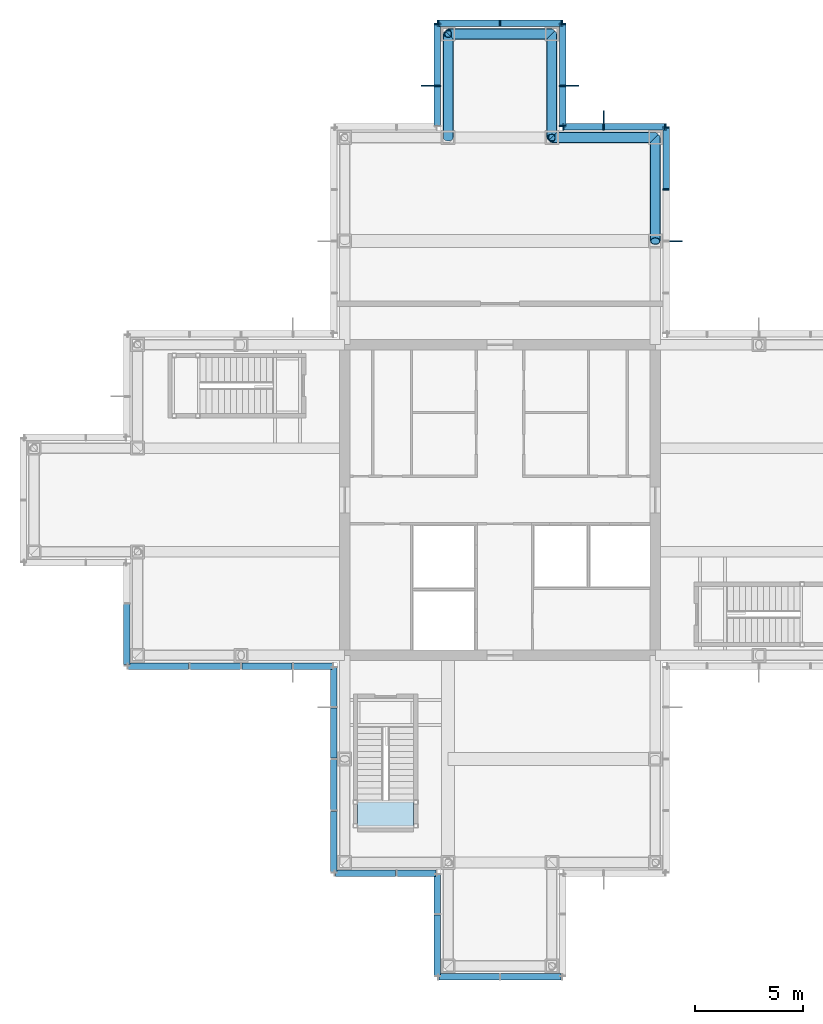
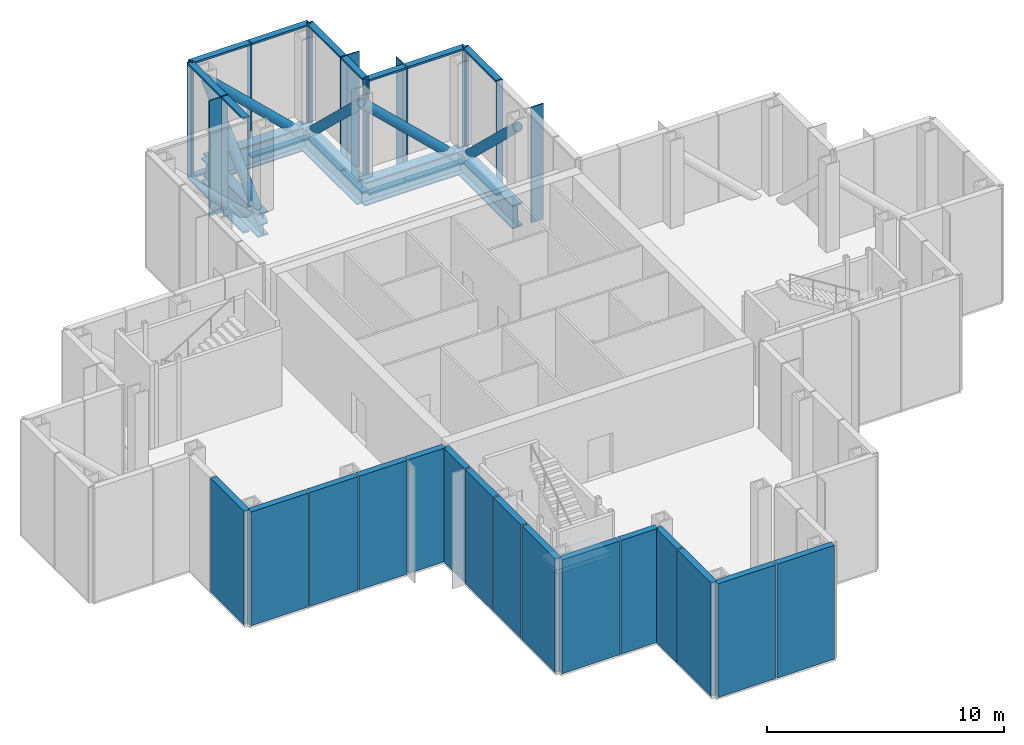
# One storey, part 9 of 13: 40 members, 15 plates, 5 beams, 1 slab, 12 elements without a shape of their own.
"""IFC4 building model written with IfcOpenShell, lengths in metres."""

from ifc_helpers import new_model, si_unit, direction, frame, origin, origin_2d, place, context, subcontext, project, spatial, polyline, rectangle, hollow_circle, i_section, outline, extrude, material, layer, layer_set, material_profile, profile_set, type_object, element, aggregate, save


model = new_model("IFC4")

# Units and contexts
model_context = context("Model", 3, precision=1e-05, world=origin(), true_north=direction((0.0, 1.0)))
body_context = subcontext(model_context, "Body", "Model", "MODEL_VIEW")
ifc_project = project(units=[si_unit("LENGTHUNIT", "METRE"), si_unit("AREAUNIT", "SQUARE_METRE"), si_unit("VOLUMEUNIT", "CUBIC_METRE"), si_unit("PLANEANGLEUNIT", "RADIAN"), si_unit("MASSUNIT", "GRAM", prefix="KILO")], contexts=[model_context])

# Site, building, storey
site_placement = place(None, origin())
site = spatial("IfcSite", under=ifc_project, at=site_placement, CompositionType="ELEMENT")
building_placement = place(site_placement, origin())
building = spatial("IfcBuilding", under=site, at=building_placement, Name="Kvirike Care Tower", CompositionType="ELEMENT")
storey_placement = place(building_placement, frame((0.0, 0.0, 190.0)))
storey = spatial("IfcBuildingStorey", under=building, at=storey_placement, Name="L52", CompositionType="ELEMENT", Elevation=190.0)

# Members
ifc_material_1 = material(Name="Steel S355", Category="steel")
ifc_material_profile_1 = material_profile(ifc_material_1, hollow_circle(Radius=0.228515625, WallThickness=0.02490234375, at=origin_2d()), Name="CHS 457x25")
ifc_profile_set_1 = profile_set([ifc_material_profile_1], Name="Steel S355")
member_type_1 = type_object("IfcMemberType", Name="BELT TRUSS DIAGONAL CHS 457x25", PredefinedType="BRACE", material=ifc_profile_set_1)
for number, where, z_axis, x_axis, name in (
    (1, (28.800048828125, 52.800048828125, -0.85009765625), (0.0, -0.723490032929, 0.690334826191), (1.0, 0.0, 0.0), "Belt truss diagonal L9-M9 L52"),
    (2, (28.800048828125, 52.800048828125, -0.85009765625), (-0.723490032929, 0.0, 0.690334826191), (0.0, -1.0, 0.0), "Belt truss diagonal M9-M8 L52"),
    (3, (24.0, 57.60009765625, -0.85009765625), (0.0, -0.723490032929, 0.690334826191), (1.0, 0.0, 0.0), "Belt truss diagonal M8-N8 L52"),
    (4, (24.0, 57.60009765625, -0.85009765625), (-0.723490032929, 0.0, 0.690334826191), (0.0, -1.0, 0.0), "Belt truss diagonal N8-N7 L52"),
    (5, (19.199951171875, 52.800048828125, -0.85009765625), (0.0, 0.723490032929, 0.690334826191), (-1.0, 0.0, 0.0), "Belt truss diagonal N7-M7 L52"),
):
    element("IfcMember", number, at=place(storey_placement, frame(where, z_axis=z_axis, x_axis=x_axis)), inside=storey, type_object=member_type_1, Name=name, PredefinedType="BRACE", context=body_context, shape_type="SweptSolid", body=[
        extrude(hollow_circle(Radius=0.228515625, WallThickness=0.02490234375, at=origin_2d()), origin(), (0.0, 0.0, 1.0), 6.634521484375),
    ])

# Curtain wall, member
ifc_material_2 = material(Name="Anodised aluminium stick system", Category="aluminium")
curtain_wall_type = type_object("IfcCurtainWallType", Name="CW-L LOUVRED PLANT SCREEN", PredefinedType="NOTDEFINED", material=ifc_material_2)
curtain_wall_1_placement = place(storey_placement, origin())
curtain_wall_1 = element("IfcCurtainWall", 6, at=curtain_wall_1_placement, inside=storey, type_object=curtain_wall_type, Name="Curtain wall L52 face 8", PredefinedType="NOTDEFINED")
ifc_material_3 = material(Name="Bronze anodised aluminium fin", Category="aluminium")
ifc_material_profile_2 = material_profile(ifc_material_3, rectangle(XDim=0.050048828125, YDim=0.60009765625, at=origin_2d()), Name="BRONZE FIN 600")
ifc_profile_set_2 = profile_set([ifc_material_profile_2], Name="Bronze anodised aluminium fin")
member_type_2 = type_object("IfcMemberType", Name="BRONZE FIN 600", PredefinedType="USERDEFINED", material=ifc_profile_set_2)
member_1_placement = place(storey_placement, frame((29.75, 48.0, -1.449951171875), z_axis=(0.0, 0.0, 1.0), x_axis=(0.0, 1.0, 0.0)))
member_1 = element("IfcMember", 7, at=member_1_placement, type_object=member_type_2, Name="Bronze fin L52 face 8.3", ObjectType="FIN", PredefinedType="USERDEFINED", context=body_context, shape_type="SweptSolid", body=[
    extrude(rectangle(XDim=0.050048828125, YDim=0.60009765625, at=origin_2d()), origin(), (0.0, 0.0, 1.0), 5.949951171875),
])

curtain_wall_2_placement = place(storey_placement, origin())
curtain_wall_2 = element("IfcCurtainWall", 8, at=curtain_wall_2_placement, inside=storey, type_object=curtain_wall_type, Name="Curtain wall L52 face 9", PredefinedType="NOTDEFINED")
member_2_placement = place(storey_placement, frame((26.39990234375, 53.75, -1.449951171875), z_axis=(0.0, 0.0, 1.0), x_axis=(-1.0, 0.0, 0.0)))
member_2 = element("IfcMember", 9, at=member_2_placement, type_object=member_type_2, Name="Bronze fin L52 face 9.2", ObjectType="FIN", PredefinedType="USERDEFINED", context=body_context, shape_type="SweptSolid", body=[
    extrude(rectangle(XDim=0.050048828125, YDim=0.60009765625, at=origin_2d()), origin(), (0.0, 0.0, 1.0), 5.949951171875),
])

curtain_wall_3_placement = place(storey_placement, origin())
curtain_wall_3 = element("IfcCurtainWall", 10, at=curtain_wall_3_placement, inside=storey, type_object=curtain_wall_type, Name="Curtain wall L52 face 10", PredefinedType="NOTDEFINED")
member_3_placement = place(storey_placement, frame((24.949951171875, 55.199951171875, -1.449951171875), z_axis=(0.0, 0.0, 1.0), x_axis=(0.0, 1.0, 0.0)))
member_3 = element("IfcMember", 11, at=member_3_placement, type_object=member_type_2, Name="Bronze fin L52 face 10.2", ObjectType="FIN", PredefinedType="USERDEFINED", context=body_context, shape_type="SweptSolid", body=[
    extrude(rectangle(XDim=0.050048828125, YDim=0.60009765625, at=origin_2d()), origin(), (0.0, 0.0, 1.0), 5.949951171875),
])

curtain_wall_4_placement = place(storey_placement, origin())
curtain_wall_4 = element("IfcCurtainWall", 12, at=curtain_wall_4_placement, inside=storey, type_object=curtain_wall_type, Name="Curtain wall L52 face 12", PredefinedType="NOTDEFINED")
member_4_placement = place(storey_placement, frame((18.25, 55.199951171875, -1.449951171875), z_axis=(0.0, 0.0, 1.0), x_axis=(0.0, -1.0, 0.0)))
member_4 = element("IfcMember", 13, at=member_4_placement, type_object=member_type_2, Name="Bronze fin L52 face 12.2", ObjectType="FIN", PredefinedType="USERDEFINED", context=body_context, shape_type="SweptSolid", body=[
    extrude(rectangle(XDim=0.050048828125, YDim=0.60009765625, at=origin_2d()), origin(), (0.0, 0.0, 1.0), 5.949951171875),
])

# Member
ifc_material_4 = material(Name="Bronze anodised aluminium mullion", Category="aluminium")
ifc_material_profile_3 = material_profile(ifc_material_4, rectangle(XDim=0.06494140625, YDim=0.300048828125, at=origin_2d()), Name="CW-L MULLION 65x300")
ifc_profile_set_3 = profile_set([ifc_material_profile_3], Name="Bronze anodised aluminium mullion")
member_type_3 = type_object("IfcMemberType", Name="CW-L MULLION 65x300", PredefinedType="MULLION", material=ifc_profile_set_3)
member_5_placement = place(storey_placement, frame((29.300048828125, 50.39990234375, -1.449951171875), z_axis=(0.0, 0.0, 1.0), x_axis=(0.0, 1.0, 0.0)))
member_5 = element("IfcMember", 14, at=member_5_placement, type_object=member_type_3, Name="CW-L mullion L52 face 8.4", PredefinedType="MULLION", context=body_context, shape_type="SweptSolid", body=[
    extrude(rectangle(XDim=0.06494140625, YDim=0.300048828125, at=origin_2d()), origin(), (0.0, 0.0, 1.0), 5.949951171875),
])

member_6_placement = place(storey_placement, frame((29.300048828125, 53.267578125, -1.449951171875), z_axis=(0.0, 0.0, 1.0), x_axis=(0.0, 1.0, 0.0)))
member_6 = element("IfcMember", 15, at=member_6_placement, type_object=member_type_3, Name="CW-L mullion L52 face 8.5", PredefinedType="MULLION", context=body_context, shape_type="SweptSolid", body=[
    extrude(rectangle(XDim=0.06494140625, YDim=0.300048828125, at=origin_2d()), origin(), (0.0, 0.0, 1.0), 5.949951171875),
])

member_7_placement = place(storey_placement, frame((29.267578125, 53.300048828125, -1.449951171875), z_axis=(0.0, 0.0, 1.0), x_axis=(-1.0, 0.0, 0.0)))
member_7 = element("IfcMember", 16, at=member_7_placement, type_object=member_type_3, Name="CW-L mullion L52 face 9.1", PredefinedType="MULLION", context=body_context, shape_type="SweptSolid", body=[
    extrude(rectangle(XDim=0.06494140625, YDim=0.300048828125, at=origin_2d()), origin(), (0.0, 0.0, 1.0), 5.949951171875),
])

member_8_placement = place(storey_placement, frame((26.39990234375, 53.300048828125, -1.449951171875), z_axis=(0.0, 0.0, 1.0), x_axis=(-1.0, 0.0, 0.0)))
member_8 = element("IfcMember", 17, at=member_8_placement, type_object=member_type_3, Name="CW-L mullion L52 face 9.2", PredefinedType="MULLION", context=body_context, shape_type="SweptSolid", body=[
    extrude(rectangle(XDim=0.06494140625, YDim=0.300048828125, at=origin_2d()), origin(), (0.0, 0.0, 1.0), 5.949951171875),
])

member_9_placement = place(storey_placement, frame((24.532470703125, 53.300048828125, -1.449951171875), z_axis=(0.0, 0.0, 1.0), x_axis=(-1.0, 0.0, 0.0)))
member_9 = element("IfcMember", 18, at=member_9_placement, type_object=member_type_3, Name="CW-L mullion L52 face 9.3", PredefinedType="MULLION", context=body_context, shape_type="SweptSolid", body=[
    extrude(rectangle(XDim=0.06494140625, YDim=0.300048828125, at=origin_2d()), origin(), (0.0, 0.0, 1.0), 5.949951171875),
])

member_10_placement = place(storey_placement, frame((24.5, 53.33251953125, -1.449951171875), z_axis=(0.0, 0.0, 1.0), x_axis=(0.0, 1.0, 0.0)))
member_10 = element("IfcMember", 19, at=member_10_placement, type_object=member_type_3, Name="CW-L mullion L52 face 10.1", PredefinedType="MULLION", context=body_context, shape_type="SweptSolid", body=[
    extrude(rectangle(XDim=0.06494140625, YDim=0.300048828125, at=origin_2d()), origin(), (0.0, 0.0, 1.0), 5.949951171875),
])

member_11_placement = place(storey_placement, frame((24.5, 55.199951171875, -1.449951171875), z_axis=(0.0, 0.0, 1.0), x_axis=(0.0, 1.0, 0.0)))
member_11 = element("IfcMember", 20, at=member_11_placement, type_object=member_type_3, Name="CW-L mullion L52 face 10.2", PredefinedType="MULLION", context=body_context, shape_type="SweptSolid", body=[
    extrude(rectangle(XDim=0.06494140625, YDim=0.300048828125, at=origin_2d()), origin(), (0.0, 0.0, 1.0), 5.949951171875),
])

member_12_placement = place(storey_placement, frame((24.5, 58.0673828125, -1.449951171875), z_axis=(0.0, 0.0, 1.0), x_axis=(0.0, 1.0, 0.0)))
member_12 = element("IfcMember", 21, at=member_12_placement, type_object=member_type_3, Name="CW-L mullion L52 face 10.3", PredefinedType="MULLION", context=body_context, shape_type="SweptSolid", body=[
    extrude(rectangle(XDim=0.06494140625, YDim=0.300048828125, at=origin_2d()), origin(), (0.0, 0.0, 1.0), 5.949951171875),
])

# Curtain wall, members
curtain_wall_5_placement = place(storey_placement, origin())
curtain_wall_5 = element("IfcCurtainWall", 22, at=curtain_wall_5_placement, inside=storey, type_object=curtain_wall_type, Name="Curtain wall L52 face 11", PredefinedType="NOTDEFINED")
member_13_placement = place(storey_placement, frame((24.467529296875, 58.10009765625, -1.449951171875), z_axis=(0.0, 0.0, 1.0), x_axis=(-1.0, 0.0, 0.0)))
member_13 = element("IfcMember", 23, at=member_13_placement, type_object=member_type_3, Name="CW-L mullion L52 face 11.1", PredefinedType="MULLION", context=body_context, shape_type="SweptSolid", body=[
    extrude(rectangle(XDim=0.06494140625, YDim=0.300048828125, at=origin_2d()), origin(), (0.0, 0.0, 1.0), 5.949951171875),
])
member_14_placement = place(storey_placement, frame((21.60009765625, 58.10009765625, -1.449951171875), z_axis=(0.0, 0.0, 1.0), x_axis=(-1.0, 0.0, 0.0)))
member_14 = element("IfcMember", 24, at=member_14_placement, type_object=member_type_3, Name="CW-L mullion L52 face 11.2", PredefinedType="MULLION", context=body_context, shape_type="SweptSolid", body=[
    extrude(rectangle(XDim=0.06494140625, YDim=0.300048828125, at=origin_2d()), origin(), (0.0, 0.0, 1.0), 5.949951171875),
])
member_15_placement = place(storey_placement, frame((18.732421875, 58.10009765625, -1.449951171875), z_axis=(0.0, 0.0, 1.0), x_axis=(-1.0, 0.0, 0.0)))
member_15 = element("IfcMember", 25, at=member_15_placement, type_object=member_type_3, Name="CW-L mullion L52 face 11.3", PredefinedType="MULLION", context=body_context, shape_type="SweptSolid", body=[
    extrude(rectangle(XDim=0.06494140625, YDim=0.300048828125, at=origin_2d()), origin(), (0.0, 0.0, 1.0), 5.949951171875),
])

# Member
member_16_placement = place(storey_placement, frame((18.699951171875, 58.0673828125, -1.449951171875), z_axis=(0.0, 0.0, 1.0), x_axis=(0.0, -1.0, 0.0)))
member_16 = element("IfcMember", 26, at=member_16_placement, type_object=member_type_3, Name="CW-L mullion L52 face 12.1", PredefinedType="MULLION", context=body_context, shape_type="SweptSolid", body=[
    extrude(rectangle(XDim=0.06494140625, YDim=0.300048828125, at=origin_2d()), origin(), (0.0, 0.0, 1.0), 5.949951171875),
])

member_17_placement = place(storey_placement, frame((18.699951171875, 55.199951171875, -1.449951171875), z_axis=(0.0, 0.0, 1.0), x_axis=(0.0, -1.0, 0.0)))
member_17 = element("IfcMember", 27, at=member_17_placement, type_object=member_type_3, Name="CW-L mullion L52 face 12.2", PredefinedType="MULLION", context=body_context, shape_type="SweptSolid", body=[
    extrude(rectangle(XDim=0.06494140625, YDim=0.300048828125, at=origin_2d()), origin(), (0.0, 0.0, 1.0), 5.949951171875),
])

ifc_material_5 = material(Name="Bronze anodised aluminium transom", Category="aluminium")
ifc_material_profile_4 = material_profile(ifc_material_5, rectangle(XDim=0.300048828125, YDim=0.10009765625, at=origin_2d()), Name="CW-L TRANSOM 300x100")
ifc_profile_set_4 = profile_set([ifc_material_profile_4], Name="Bronze anodised aluminium transom")
member_type_4 = type_object("IfcMemberType", Name="CW-L TRANSOM 300x100", PredefinedType="USERDEFINED", material=ifc_profile_set_4)
member_18_placement = place(storey_placement, frame((29.300048828125, 50.4326171875, -1.39990234375), z_axis=(0.0, 1.0, 0.0), x_axis=(-1.0, 0.0, 0.0)))
member_18 = element("IfcMember", 28, at=member_18_placement, type_object=member_type_4, Name="CW-L sill transom L52 face 8.4", ObjectType="TRANSOM", PredefinedType="USERDEFINED", context=body_context, shape_type="SweptSolid", body=[
    extrude(rectangle(XDim=0.300048828125, YDim=0.10009765625, at=origin_2d()), origin(), (0.0, 0.0, 1.0), 2.802490234375),
])

member_19_placement = place(storey_placement, frame((29.300048828125, 50.4326171875, 4.449951171875), z_axis=(0.0, 1.0, 0.0), x_axis=(-1.0, 0.0, 0.0)))
member_19 = element("IfcMember", 29, at=member_19_placement, type_object=member_type_4, Name="CW-L head transom L52 face 8.4", ObjectType="TRANSOM", PredefinedType="USERDEFINED", context=body_context, shape_type="SweptSolid", body=[
    extrude(rectangle(XDim=0.300048828125, YDim=0.10009765625, at=origin_2d()), origin(), (0.0, 0.0, 1.0), 2.802490234375),
])

aggregate(curtain_wall_1, [member_1, member_5, member_6, member_18, member_19])

member_20_placement = place(storey_placement, frame((29.235107421875, 53.300048828125, -1.39990234375), z_axis=(-1.0, 0.0, 0.0), x_axis=(0.0, -1.0, 0.0)))
member_20 = element("IfcMember", 30, at=member_20_placement, type_object=member_type_4, Name="CW-L sill transom L52 face 9.1", ObjectType="TRANSOM", PredefinedType="USERDEFINED", context=body_context, shape_type="SweptSolid", body=[
    extrude(rectangle(XDim=0.300048828125, YDim=0.10009765625, at=origin_2d()), origin(), (0.0, 0.0, 1.0), 2.802490234375),
])

member_21_placement = place(storey_placement, frame((29.235107421875, 53.300048828125, 4.449951171875), z_axis=(-1.0, 0.0, 0.0), x_axis=(0.0, -1.0, 0.0)))
member_21 = element("IfcMember", 31, at=member_21_placement, type_object=member_type_4, Name="CW-L head transom L52 face 9.1", ObjectType="TRANSOM", PredefinedType="USERDEFINED", context=body_context, shape_type="SweptSolid", body=[
    extrude(rectangle(XDim=0.300048828125, YDim=0.10009765625, at=origin_2d()), origin(), (0.0, 0.0, 1.0), 2.802490234375),
])

member_22_placement = place(storey_placement, frame((26.367431640625, 53.300048828125, -1.39990234375), z_axis=(-1.0, 0.0, 0.0), x_axis=(0.0, -1.0, 0.0)))
member_22 = element("IfcMember", 32, at=member_22_placement, type_object=member_type_4, Name="CW-L sill transom L52 face 9.2", ObjectType="TRANSOM", PredefinedType="USERDEFINED", context=body_context, shape_type="SweptSolid", body=[
    extrude(rectangle(XDim=0.300048828125, YDim=0.10009765625, at=origin_2d()), origin(), (0.0, 0.0, 1.0), 1.802490234375),
])

member_23_placement = place(storey_placement, frame((26.367431640625, 53.300048828125, 4.449951171875), z_axis=(-1.0, 0.0, 0.0), x_axis=(0.0, -1.0, 0.0)))
member_23 = element("IfcMember", 33, at=member_23_placement, type_object=member_type_4, Name="CW-L head transom L52 face 9.2", ObjectType="TRANSOM", PredefinedType="USERDEFINED", context=body_context, shape_type="SweptSolid", body=[
    extrude(rectangle(XDim=0.300048828125, YDim=0.10009765625, at=origin_2d()), origin(), (0.0, 0.0, 1.0), 1.802490234375),
])

aggregate(curtain_wall_2, [member_7, member_8, member_2, member_9, member_20, member_21, member_22, member_23])

member_24_placement = place(storey_placement, frame((24.5, 53.364990234375, -1.39990234375), z_axis=(0.0, 1.0, 0.0), x_axis=(-1.0, 0.0, 0.0)))
member_24 = element("IfcMember", 34, at=member_24_placement, type_object=member_type_4, Name="CW-L sill transom L52 face 10.1", ObjectType="TRANSOM", PredefinedType="USERDEFINED", context=body_context, shape_type="SweptSolid", body=[
    extrude(rectangle(XDim=0.300048828125, YDim=0.10009765625, at=origin_2d()), origin(), (0.0, 0.0, 1.0), 1.802490234375),
])

member_25_placement = place(storey_placement, frame((24.5, 53.364990234375, 4.449951171875), z_axis=(0.0, 1.0, 0.0), x_axis=(-1.0, 0.0, 0.0)))
member_25 = element("IfcMember", 35, at=member_25_placement, type_object=member_type_4, Name="CW-L head transom L52 face 10.1", ObjectType="TRANSOM", PredefinedType="USERDEFINED", context=body_context, shape_type="SweptSolid", body=[
    extrude(rectangle(XDim=0.300048828125, YDim=0.10009765625, at=origin_2d()), origin(), (0.0, 0.0, 1.0), 1.802490234375),
])

member_26_placement = place(storey_placement, frame((24.5, 55.232421875, -1.39990234375), z_axis=(0.0, 1.0, 0.0), x_axis=(-1.0, 0.0, 0.0)))
member_26 = element("IfcMember", 36, at=member_26_placement, type_object=member_type_4, Name="CW-L sill transom L52 face 10.2", ObjectType="TRANSOM", PredefinedType="USERDEFINED", context=body_context, shape_type="SweptSolid", body=[
    extrude(rectangle(XDim=0.300048828125, YDim=0.10009765625, at=origin_2d()), origin(), (0.0, 0.0, 1.0), 2.802490234375),
])

member_27_placement = place(storey_placement, frame((24.5, 55.232421875, 4.449951171875), z_axis=(0.0, 1.0, 0.0), x_axis=(-1.0, 0.0, 0.0)))
member_27 = element("IfcMember", 37, at=member_27_placement, type_object=member_type_4, Name="CW-L head transom L52 face 10.2", ObjectType="TRANSOM", PredefinedType="USERDEFINED", context=body_context, shape_type="SweptSolid", body=[
    extrude(rectangle(XDim=0.300048828125, YDim=0.10009765625, at=origin_2d()), origin(), (0.0, 0.0, 1.0), 2.802490234375),
])

aggregate(curtain_wall_3, [member_10, member_11, member_3, member_12, member_24, member_25, member_26, member_27])

member_28_placement = place(storey_placement, frame((24.43505859375, 58.10009765625, -1.39990234375), z_axis=(-1.0, 0.0, 0.0), x_axis=(0.0, -1.0, 0.0)))
member_28 = element("IfcMember", 38, at=member_28_placement, type_object=member_type_4, Name="CW-L sill transom L52 face 11.1", ObjectType="TRANSOM", PredefinedType="USERDEFINED", context=body_context, shape_type="SweptSolid", body=[
    extrude(rectangle(XDim=0.300048828125, YDim=0.10009765625, at=origin_2d()), origin(), (0.0, 0.0, 1.0), 2.802490234375),
])

member_29_placement = place(storey_placement, frame((24.43505859375, 58.10009765625, 4.449951171875), z_axis=(-1.0, 0.0, 0.0), x_axis=(0.0, -1.0, 0.0)))
member_29 = element("IfcMember", 39, at=member_29_placement, type_object=member_type_4, Name="CW-L head transom L52 face 11.1", ObjectType="TRANSOM", PredefinedType="USERDEFINED", context=body_context, shape_type="SweptSolid", body=[
    extrude(rectangle(XDim=0.300048828125, YDim=0.10009765625, at=origin_2d()), origin(), (0.0, 0.0, 1.0), 2.802490234375),
])

member_30_placement = place(storey_placement, frame((21.5673828125, 58.10009765625, -1.39990234375), z_axis=(-1.0, 0.0, 0.0), x_axis=(0.0, -1.0, 0.0)))
member_30 = element("IfcMember", 40, at=member_30_placement, type_object=member_type_4, Name="CW-L sill transom L52 face 11.2", ObjectType="TRANSOM", PredefinedType="USERDEFINED", context=body_context, shape_type="SweptSolid", body=[
    extrude(rectangle(XDim=0.300048828125, YDim=0.10009765625, at=origin_2d()), origin(), (0.0, 0.0, 1.0), 2.802490234375),
])

member_31_placement = place(storey_placement, frame((21.5673828125, 58.10009765625, 4.449951171875), z_axis=(-1.0, 0.0, 0.0), x_axis=(0.0, -1.0, 0.0)))
member_31 = element("IfcMember", 41, at=member_31_placement, type_object=member_type_4, Name="CW-L head transom L52 face 11.2", ObjectType="TRANSOM", PredefinedType="USERDEFINED", context=body_context, shape_type="SweptSolid", body=[
    extrude(rectangle(XDim=0.300048828125, YDim=0.10009765625, at=origin_2d()), origin(), (0.0, 0.0, 1.0), 2.802490234375),
])

aggregate(curtain_wall_5, [member_13, member_14, member_15, member_28, member_29, member_30, member_31])

member_32_placement = place(storey_placement, frame((18.699951171875, 58.034912109375, -1.39990234375), z_axis=(0.0, -1.0, 0.0), x_axis=(1.0, 0.0, 0.0)))
member_32 = element("IfcMember", 42, at=member_32_placement, type_object=member_type_4, Name="CW-L sill transom L52 face 12.1", ObjectType="TRANSOM", PredefinedType="USERDEFINED", context=body_context, shape_type="SweptSolid", body=[
    extrude(rectangle(XDim=0.300048828125, YDim=0.10009765625, at=origin_2d()), origin(), (0.0, 0.0, 1.0), 2.802490234375),
])

member_33_placement = place(storey_placement, frame((18.699951171875, 58.034912109375, 4.449951171875), z_axis=(0.0, -1.0, 0.0), x_axis=(1.0, 0.0, 0.0)))
member_33 = element("IfcMember", 43, at=member_33_placement, type_object=member_type_4, Name="CW-L head transom L52 face 12.1", ObjectType="TRANSOM", PredefinedType="USERDEFINED", context=body_context, shape_type="SweptSolid", body=[
    extrude(rectangle(XDim=0.300048828125, YDim=0.10009765625, at=origin_2d()), origin(), (0.0, 0.0, 1.0), 2.802490234375),
])

member_34_placement = place(storey_placement, frame((18.699951171875, 55.16748046875, -1.39990234375), z_axis=(0.0, -1.0, 0.0), x_axis=(1.0, 0.0, 0.0)))
member_34 = element("IfcMember", 44, at=member_34_placement, type_object=member_type_4, Name="CW-L sill transom L52 face 12.2", ObjectType="TRANSOM", PredefinedType="USERDEFINED", context=body_context, shape_type="SweptSolid", body=[
    extrude(rectangle(XDim=0.300048828125, YDim=0.10009765625, at=origin_2d()), origin(), (0.0, 0.0, 1.0), 1.802490234375),
])

member_35_placement = place(storey_placement, frame((18.699951171875, 55.16748046875, 4.449951171875), z_axis=(0.0, -1.0, 0.0), x_axis=(1.0, 0.0, 0.0)))
member_35 = element("IfcMember", 45, at=member_35_placement, type_object=member_type_4, Name="CW-L head transom L52 face 12.2", ObjectType="TRANSOM", PredefinedType="USERDEFINED", context=body_context, shape_type="SweptSolid", body=[
    extrude(rectangle(XDim=0.300048828125, YDim=0.10009765625, at=origin_2d()), origin(), (0.0, 0.0, 1.0), 1.802490234375),
])

aggregate(curtain_wall_4, [member_16, member_17, member_4, member_32, member_33, member_34, member_35])

# Beams
ifc_material_6 = material(Name="Steel S355", Category="steel")
ifc_material_profile_5 = material_profile(ifc_material_6, i_section(OverallWidth=0.5, OverallDepth=1.199951171875, WebThickness=0.030029296875, FlangeThickness=0.06005859375, at=origin_2d()), Name="PG 1200x500x30x60")
ifc_profile_set_5 = profile_set([ifc_material_profile_5], Name="Steel S355")
beam_type = type_object("IfcBeamType", Name="SPANDREL PG 1200x500x30x60", PredefinedType="SPANDREL", material=ifc_profile_set_5)
for number, where, z_axis, x_axis, name in (
    (46, (24.0, 52.800048828125, -0.85009765625), (1.0, 0.0, 0.0), (0.0, 1.0, 0.0), "Spandrel M8-M9 L52"),
    (47, (19.199951171875, 57.60009765625, -0.85009765625), (1.0, 0.0, 0.0), (0.0, 1.0, 0.0), "Spandrel N7-N8 L52"),
    (48, (19.199951171875, 52.800048828125, -0.85009765625), (0.0, 1.0, 0.0), (-1.0, 0.0, 0.0), "Spandrel M7-N7 L52"),
    (49, (24.0, 52.800048828125, -0.85009765625), (0.0, 1.0, 0.0), (-1.0, 0.0, 0.0), "Spandrel M8-N8 L52"),
    (50, (28.800048828125, 48.0, -0.85009765625), (0.0, 1.0, 0.0), (-1.0, 0.0, 0.0), "Spandrel L9-M9 L52"),
):
    element("IfcBeam", number, at=place(storey_placement, frame(where, z_axis=z_axis, x_axis=x_axis)), inside=storey, type_object=beam_type, Name=name, PredefinedType="SPANDREL", context=body_context, shape_type="SweptSolid", body=[
        extrude(i_section(OverallWidth=0.5, OverallDepth=1.199951171875, WebThickness=0.030029296875, FlangeThickness=0.06005859375, at=origin_2d()), origin(), (0.0, 0.0, 1.0), 4.800048828125),
    ])

# Curtain wall, plate
curtain_wall_6_placement = place(storey_placement, origin())
curtain_wall_6 = element("IfcCurtainWall", 51, at=curtain_wall_6_placement, inside=storey, type_object=curtain_wall_type, Name="Curtain wall L52 face 20", PredefinedType="NOTDEFINED")
ifc_material_7 = material(Name="Bronze anodised aluminium louvre", Category="aluminium")
ifc_layer_1 = layer(ifc_material_7, 0.300048828125)
ifc_layer_set_1 = layer_set([ifc_layer_1], Name="BRONZE LOUVRE PANEL")
plate_type = type_object("IfcPlateType", Name="BRONZE LOUVRE PANEL", PredefinedType="CURTAIN_PANEL", material=ifc_layer_set_1)
plate_1_placement = place(storey_placement, frame((4.300048828125, 29.766357421875, -1.35009765625), z_axis=(0.0, 0.0, 1.0), x_axis=(0.0, -1.0, 0.0)))
plate_1 = element("IfcPlate", 52, at=plate_1_placement, type_object=plate_type, Name="CW-L panel L52 face 20.2", PredefinedType="CURTAIN_PANEL", context=body_context, shape_type="SweptSolid", body=[
    extrude(rectangle(XDim=2.802490234375, YDim=0.300048828125, at=origin_2d()), origin(), (0.0, 0.0, 1.0), 5.85009765625),
])
aggregate(curtain_wall_6, [plate_1])

# Curtain wall, plates
curtain_wall_7_placement = place(storey_placement, origin())
curtain_wall_7 = element("IfcCurtainWall", 53, at=curtain_wall_7_placement, inside=storey, type_object=curtain_wall_type, Name="Curtain wall L52 face 21", PredefinedType="NOTDEFINED")
plate_2_placement = place(storey_placement, frame((5.766357421875, 28.300048828125, -1.35009765625), z_axis=(0.0, 0.0, 1.0), x_axis=(1.0, 0.0, 0.0)))
plate_2 = element("IfcPlate", 54, at=plate_2_placement, type_object=plate_type, Name="CW-L panel L52 face 21.1", PredefinedType="CURTAIN_PANEL", context=body_context, shape_type="SweptSolid", body=[
    extrude(rectangle(XDim=2.802490234375, YDim=0.300048828125, at=origin_2d()), origin(), (0.0, 0.0, 1.0), 5.85009765625),
])
plate_3_placement = place(storey_placement, frame((8.39990234375, 28.300048828125, -1.35009765625), z_axis=(0.0, 0.0, 1.0), x_axis=(1.0, 0.0, 0.0)))
plate_3 = element("IfcPlate", 55, at=plate_3_placement, type_object=plate_type, Name="CW-L panel L52 face 21.2", PredefinedType="CURTAIN_PANEL", context=body_context, shape_type="SweptSolid", body=[
    extrude(rectangle(XDim=2.3349609375, YDim=0.300048828125, at=origin_2d()), origin(), (0.0, 0.0, 1.0), 5.85009765625),
])
plate_4_placement = place(storey_placement, frame((10.800048828125, 28.300048828125, -1.35009765625), z_axis=(0.0, 0.0, 1.0), x_axis=(1.0, 0.0, 0.0)))
plate_4 = element("IfcPlate", 56, at=plate_4_placement, type_object=plate_type, Name="CW-L panel L52 face 21.3", PredefinedType="CURTAIN_PANEL", context=body_context, shape_type="SweptSolid", body=[
    extrude(rectangle(XDim=2.3349609375, YDim=0.300048828125, at=origin_2d()), origin(), (0.0, 0.0, 1.0), 5.85009765625),
])
plate_5_placement = place(storey_placement, frame((12.933837890625, 28.300048828125, -1.35009765625), z_axis=(0.0, 0.0, 1.0), x_axis=(1.0, 0.0, 0.0)))
plate_5 = element("IfcPlate", 57, at=plate_5_placement, type_object=plate_type, Name="CW-L panel L52 face 21.4", PredefinedType="CURTAIN_PANEL", context=body_context, shape_type="SweptSolid", body=[
    extrude(rectangle(XDim=1.802490234375, YDim=0.300048828125, at=origin_2d()), origin(), (0.0, 0.0, 1.0), 5.85009765625),
])
aggregate(curtain_wall_7, [plate_2, plate_3, plate_4, plate_5])

curtain_wall_8_placement = place(storey_placement, origin())
curtain_wall_8 = element("IfcCurtainWall", 58, at=curtain_wall_8_placement, inside=storey, type_object=curtain_wall_type, Name="Curtain wall L52 face 22", PredefinedType="NOTDEFINED")
plate_6_placement = place(storey_placement, frame((13.89990234375, 27.333740234375, -1.35009765625), z_axis=(0.0, 0.0, 1.0), x_axis=(0.0, -1.0, 0.0)))
plate_6 = element("IfcPlate", 59, at=plate_6_placement, type_object=plate_type, Name="CW-L panel L52 face 22.1", PredefinedType="CURTAIN_PANEL", context=body_context, shape_type="SweptSolid", body=[
    extrude(rectangle(XDim=1.802490234375, YDim=0.300048828125, at=origin_2d()), origin(), (0.0, 0.0, 1.0), 5.85009765625),
])
plate_7_placement = place(storey_placement, frame((13.89990234375, 25.199951171875, -1.35009765625), z_axis=(0.0, 0.0, 1.0), x_axis=(0.0, -1.0, 0.0)))
plate_7 = element("IfcPlate", 60, at=plate_7_placement, type_object=plate_type, Name="CW-L panel L52 face 22.2", PredefinedType="CURTAIN_PANEL", context=body_context, shape_type="SweptSolid", body=[
    extrude(rectangle(XDim=2.3349609375, YDim=0.300048828125, at=origin_2d()), origin(), (0.0, 0.0, 1.0), 5.85009765625),
])
plate_8_placement = place(storey_placement, frame((13.89990234375, 22.800048828125, -1.35009765625), z_axis=(0.0, 0.0, 1.0), x_axis=(0.0, -1.0, 0.0)))
plate_8 = element("IfcPlate", 61, at=plate_8_placement, type_object=plate_type, Name="CW-L panel L52 face 22.3", PredefinedType="CURTAIN_PANEL", context=body_context, shape_type="SweptSolid", body=[
    extrude(rectangle(XDim=2.3349609375, YDim=0.300048828125, at=origin_2d()), origin(), (0.0, 0.0, 1.0), 5.85009765625),
])
plate_9_placement = place(storey_placement, frame((13.89990234375, 20.166259765625, -1.35009765625), z_axis=(0.0, 0.0, 1.0), x_axis=(0.0, -1.0, 0.0)))
plate_9 = element("IfcPlate", 62, at=plate_9_placement, type_object=plate_type, Name="CW-L panel L52 face 22.4", PredefinedType="CURTAIN_PANEL", context=body_context, shape_type="SweptSolid", body=[
    extrude(rectangle(XDim=2.802490234375, YDim=0.300048828125, at=origin_2d()), origin(), (0.0, 0.0, 1.0), 5.85009765625),
])
aggregate(curtain_wall_8, [plate_6, plate_7, plate_8, plate_9])

curtain_wall_9_placement = place(storey_placement, origin())
curtain_wall_9 = element("IfcCurtainWall", 63, at=curtain_wall_9_placement, inside=storey, type_object=curtain_wall_type, Name="Curtain wall L52 face 23", PredefinedType="NOTDEFINED")
plate_10_placement = place(storey_placement, frame((15.3662109375, 18.699951171875, -1.35009765625), z_axis=(0.0, 0.0, 1.0), x_axis=(1.0, 0.0, 0.0)))
plate_10 = element("IfcPlate", 64, at=plate_10_placement, type_object=plate_type, Name="CW-L panel L52 face 23.1", PredefinedType="CURTAIN_PANEL", context=body_context, shape_type="SweptSolid", body=[
    extrude(rectangle(XDim=2.802490234375, YDim=0.300048828125, at=origin_2d()), origin(), (0.0, 0.0, 1.0), 5.85009765625),
])
plate_11_placement = place(storey_placement, frame((17.733642578125, 18.699951171875, -1.35009765625), z_axis=(0.0, 0.0, 1.0), x_axis=(1.0, 0.0, 0.0)))
plate_11 = element("IfcPlate", 65, at=plate_11_placement, type_object=plate_type, Name="CW-L panel L52 face 23.2", PredefinedType="CURTAIN_PANEL", context=body_context, shape_type="SweptSolid", body=[
    extrude(rectangle(XDim=1.802490234375, YDim=0.300048828125, at=origin_2d()), origin(), (0.0, 0.0, 1.0), 5.85009765625),
])
aggregate(curtain_wall_9, [plate_10, plate_11])

curtain_wall_10_placement = place(storey_placement, origin())
curtain_wall_10 = element("IfcCurtainWall", 66, at=curtain_wall_10_placement, inside=storey, type_object=curtain_wall_type, Name="Curtain wall L52 face 24", PredefinedType="NOTDEFINED")
plate_12_placement = place(storey_placement, frame((18.699951171875, 17.733642578125, -1.35009765625), z_axis=(0.0, 0.0, 1.0), x_axis=(0.0, -1.0, 0.0)))
plate_12 = element("IfcPlate", 67, at=plate_12_placement, type_object=plate_type, Name="CW-L panel L52 face 24.1", PredefinedType="CURTAIN_PANEL", context=body_context, shape_type="SweptSolid", body=[
    extrude(rectangle(XDim=1.802490234375, YDim=0.300048828125, at=origin_2d()), origin(), (0.0, 0.0, 1.0), 5.85009765625),
])
plate_13_placement = place(storey_placement, frame((18.699951171875, 15.3662109375, -1.35009765625), z_axis=(0.0, 0.0, 1.0), x_axis=(0.0, -1.0, 0.0)))
plate_13 = element("IfcPlate", 68, at=plate_13_placement, type_object=plate_type, Name="CW-L panel L52 face 24.2", PredefinedType="CURTAIN_PANEL", context=body_context, shape_type="SweptSolid", body=[
    extrude(rectangle(XDim=2.802490234375, YDim=0.300048828125, at=origin_2d()), origin(), (0.0, 0.0, 1.0), 5.85009765625),
])
aggregate(curtain_wall_10, [plate_12, plate_13])

curtain_wall_11_placement = place(storey_placement, origin())
curtain_wall_11 = element("IfcCurtainWall", 69, at=curtain_wall_11_placement, inside=storey, type_object=curtain_wall_type, Name="Curtain wall L52 face 25", PredefinedType="NOTDEFINED")
plate_14_placement = place(storey_placement, frame((20.166259765625, 13.89990234375, -1.35009765625), z_axis=(0.0, 0.0, 1.0), x_axis=(1.0, 0.0, 0.0)))
plate_14 = element("IfcPlate", 70, at=plate_14_placement, type_object=plate_type, Name="CW-L panel L52 face 25.1", PredefinedType="CURTAIN_PANEL", context=body_context, shape_type="SweptSolid", body=[
    extrude(rectangle(XDim=2.802490234375, YDim=0.300048828125, at=origin_2d()), origin(), (0.0, 0.0, 1.0), 5.85009765625),
])
plate_15_placement = place(storey_placement, frame((23.03369140625, 13.89990234375, -1.35009765625), z_axis=(0.0, 0.0, 1.0), x_axis=(1.0, 0.0, 0.0)))
plate_15 = element("IfcPlate", 71, at=plate_15_placement, type_object=plate_type, Name="CW-L panel L52 face 25.2", PredefinedType="CURTAIN_PANEL", context=body_context, shape_type="SweptSolid", body=[
    extrude(rectangle(XDim=2.802490234375, YDim=0.300048828125, at=origin_2d()), origin(), (0.0, 0.0, 1.0), 5.85009765625),
])
aggregate(curtain_wall_11, [plate_14, plate_15])

# Stair, slab
ifc_material_8 = material(Name="Concrete C35/45", Category="concrete")
stair_type = type_object("IfcStairType", Name="STAIR 26 RISERS", PredefinedType="HALF_TURN_STAIR", material=ifc_material_8)
stair_placement = place(storey_placement, origin())
stair = element("IfcStair", 72, at=stair_placement, inside=storey, type_object=stair_type, Name="Stair 5 L52", PredefinedType="HALF_TURN_STAIR")
ifc_material_9 = material(Name="Concrete C35/45", Category="concrete")
ifc_layer_2 = layer(ifc_material_9, 0.199951171875)
ifc_layer_set_2 = layer_set([ifc_layer_2], Name="STAIR LANDING 200")
slab_type = type_object("IfcSlabType", Name="STAIR LANDING 200", PredefinedType="LANDING", material=ifc_layer_set_2)
slab_placement = place(storey_placement, frame((0.0, 0.0, 2.050048828125)))
slab = element("IfcSlab", 73, at=slab_placement, type_object=slab_type, Name="Stair S5 half landing L52-L53", PredefinedType="LANDING", context=body_context, shape_type="SweptSolid", body=[
    extrude(outline(polyline([(15.0, 20.800048828125), (17.60009765625, 20.800048828125), (17.60009765625, 22.10009765625), (15.0, 22.10009765625), (15.0, 20.800048828125)])), origin(), (0.0, 0.0, 1.0), 0.199951171875),
])
aggregate(stair, [slab])

save(model, "model.ifc")
